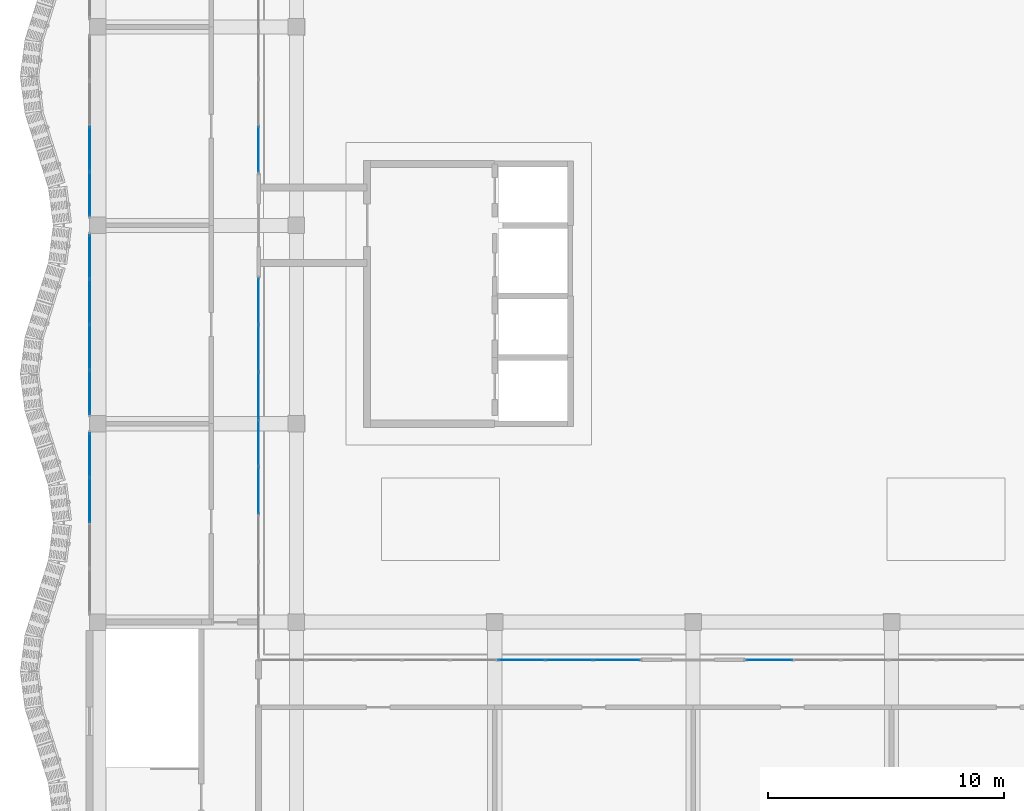
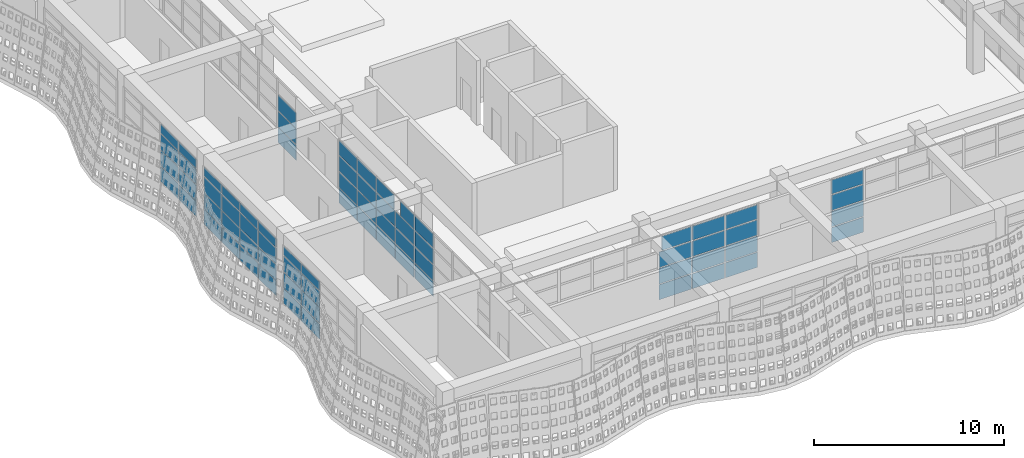
# One storey, part 28 of 85: 71 plates, 7 elements without a shape of their own.
"""IFC4 building model written with IfcOpenShell, lengths in metres."""

from ifc_helpers import new_model, si_unit, direction, frame, origin, origin_2d, place, context, subcontext, project, spatial, rectangle, extrude, material, layer, layer_set, type_object, element, aggregate, save


model = new_model("IFC4")

# Units and contexts
model_context = context("Model", 3, precision=1e-05, world=origin(), true_north=direction((0.0, 1.0)))
body_context = subcontext(model_context, "Body", "Model", "MODEL_VIEW")
ifc_project = project(units=[si_unit("LENGTHUNIT", "METRE"), si_unit("AREAUNIT", "SQUARE_METRE"), si_unit("VOLUMEUNIT", "CUBIC_METRE"), si_unit("PLANEANGLEUNIT", "RADIAN"), si_unit("MASSUNIT", "GRAM", prefix="KILO")], contexts=[model_context])

# Site, building, storey
site_placement = place(None, origin())
site = spatial("IfcSite", under=ifc_project, at=site_placement, CompositionType="ELEMENT")
building_placement = place(site_placement, origin())
building = spatial("IfcBuilding", under=site, at=building_placement, Name="Rain Tree Exposition and Congress Centre", CompositionType="ELEMENT")
storey_placement = place(building_placement, frame((0.0, 0.0, 15.0)))
storey = spatial("IfcBuildingStorey", under=building, at=storey_placement, Name="L03", CompositionType="ELEMENT", Elevation=15.0)

# Curtain wall, plates
ifc_material_1 = material(Name="Aluminium curtain wall", Category="aluminium")
curtain_wall_type = type_object("IfcCurtainWallType", Name="Wing curtain wall 1925", PredefinedType="NOTDEFINED", material=ifc_material_1)
curtain_wall_1_placement = place(storey_placement, origin())
curtain_wall_1 = element("IfcCurtainWall", 1, at=curtain_wall_1_placement, inside=storey, type_object=curtain_wall_type, Name="Curtain wall CWW408", PredefinedType="NOTDEFINED")
ifc_material_2 = material(Name="Double glazed unit", Category="glass")
ifc_layer = layer(ifc_material_2, 0.028076171875)
ifc_layer_set = layer_set([ifc_layer], Name="Double glazed unit")
plate_type = type_object("IfcPlateType", Name="Wing glazing panel 28", PredefinedType="CURTAIN_PANEL", material=ifc_layer_set)
plate_1_placement = place(storey_placement, frame((-0.35009765625, 13.5625, 0.06005859375), z_axis=(0.0, 0.0, 1.0), x_axis=(0.0, 1.0, 0.0)))
plate_1 = element("IfcPlate", 2, at=plate_1_placement, type_object=plate_type, Name="CWW408 panel 3.1", PredefinedType="CURTAIN_PANEL", context=body_context, shape_type="SweptSolid", body=[
    extrude(rectangle(XDim=1.864990234375, YDim=0.028076171875, at=origin_2d()), origin(), (0.0, 0.0, 1.0), 0.9599609375),
])
plate_2_placement = place(storey_placement, frame((-0.35009765625, 13.5625, 1.080078125), z_axis=(0.0, 0.0, 1.0), x_axis=(0.0, 1.0, 0.0)))
plate_2 = element("IfcPlate", 3, at=plate_2_placement, type_object=plate_type, Name="CWW408 panel 3.2", PredefinedType="CURTAIN_PANEL", context=body_context, shape_type="SweptSolid", body=[
    extrude(rectangle(XDim=1.864990234375, YDim=0.028076171875, at=origin_2d()), origin(), (0.0, 0.0, 1.0), 0.989990234375),
])
plate_3_placement = place(storey_placement, frame((-0.35009765625, 13.5625, 2.1298828125), z_axis=(0.0, 0.0, 1.0), x_axis=(0.0, 1.0, 0.0)))
plate_3 = element("IfcPlate", 4, at=plate_3_placement, type_object=plate_type, Name="CWW408 panel 3.3", PredefinedType="CURTAIN_PANEL", context=body_context, shape_type="SweptSolid", body=[
    extrude(rectangle(XDim=1.864990234375, YDim=0.028076171875, at=origin_2d()), origin(), (0.0, 0.0, 1.0), 0.989990234375),
])
plate_4_placement = place(storey_placement, frame((-0.35009765625, 13.5625, 3.179931640625), z_axis=(0.0, 0.0, 1.0), x_axis=(0.0, 1.0, 0.0)))
plate_4 = element("IfcPlate", 5, at=plate_4_placement, type_object=plate_type, Name="CWW408 panel 3.4", PredefinedType="CURTAIN_PANEL", context=body_context, shape_type="SweptSolid", body=[
    extrude(rectangle(XDim=1.864990234375, YDim=0.028076171875, at=origin_2d()), origin(), (0.0, 0.0, 1.0), 0.56005859375),
])
plate_5_placement = place(storey_placement, frame((-0.35009765625, 15.472412109375, 0.06005859375), z_axis=(0.0, 0.0, 1.0), x_axis=(0.0, 1.0, 0.0)))
plate_5 = element("IfcPlate", 6, at=plate_5_placement, type_object=plate_type, Name="CWW408 panel 4.1", PredefinedType="CURTAIN_PANEL", context=body_context, shape_type="SweptSolid", body=[
    extrude(rectangle(XDim=1.8349609375, YDim=0.028076171875, at=origin_2d()), origin(), (0.0, 0.0, 1.0), 0.9599609375),
])
plate_6_placement = place(storey_placement, frame((-0.35009765625, 15.472412109375, 1.080078125), z_axis=(0.0, 0.0, 1.0), x_axis=(0.0, 1.0, 0.0)))
plate_6 = element("IfcPlate", 7, at=plate_6_placement, type_object=plate_type, Name="CWW408 panel 4.2", PredefinedType="CURTAIN_PANEL", context=body_context, shape_type="SweptSolid", body=[
    extrude(rectangle(XDim=1.8349609375, YDim=0.028076171875, at=origin_2d()), origin(), (0.0, 0.0, 1.0), 0.989990234375),
])
plate_7_placement = place(storey_placement, frame((-0.35009765625, 15.472412109375, 2.1298828125), z_axis=(0.0, 0.0, 1.0), x_axis=(0.0, 1.0, 0.0)))
plate_7 = element("IfcPlate", 8, at=plate_7_placement, type_object=plate_type, Name="CWW408 panel 4.3", PredefinedType="CURTAIN_PANEL", context=body_context, shape_type="SweptSolid", body=[
    extrude(rectangle(XDim=1.8349609375, YDim=0.028076171875, at=origin_2d()), origin(), (0.0, 0.0, 1.0), 0.989990234375),
])
plate_8_placement = place(storey_placement, frame((-0.35009765625, 15.472412109375, 3.179931640625), z_axis=(0.0, 0.0, 1.0), x_axis=(0.0, 1.0, 0.0)))
plate_8 = element("IfcPlate", 9, at=plate_8_placement, type_object=plate_type, Name="CWW408 panel 4.4", PredefinedType="CURTAIN_PANEL", context=body_context, shape_type="SweptSolid", body=[
    extrude(rectangle(XDim=1.8349609375, YDim=0.028076171875, at=origin_2d()), origin(), (0.0, 0.0, 1.0), 0.56005859375),
])
aggregate(curtain_wall_1, [plate_1, plate_2, plate_3, plate_4, plate_5, plate_6, plate_7, plate_8])

curtain_wall_2_placement = place(storey_placement, origin())
curtain_wall_2 = element("IfcCurtainWall", 10, at=curtain_wall_2_placement, inside=storey, type_object=curtain_wall_type, Name="Curtain wall CWW409", PredefinedType="NOTDEFINED")
plate_9_placement = place(storey_placement, frame((-0.35009765625, 18.12744140625, 0.06005859375), z_axis=(0.0, 0.0, 1.0), x_axis=(0.0, 1.0, 0.0)))
plate_9 = element("IfcPlate", 11, at=plate_9_placement, type_object=plate_type, Name="CWW409 panel 1.1", PredefinedType="CURTAIN_PANEL", context=body_context, shape_type="SweptSolid", body=[
    extrude(rectangle(XDim=1.8349609375, YDim=0.028076171875, at=origin_2d()), origin(), (0.0, 0.0, 1.0), 0.9599609375),
])
plate_10_placement = place(storey_placement, frame((-0.35009765625, 18.12744140625, 1.080078125), z_axis=(0.0, 0.0, 1.0), x_axis=(0.0, 1.0, 0.0)))
plate_10 = element("IfcPlate", 12, at=plate_10_placement, type_object=plate_type, Name="CWW409 panel 1.2", PredefinedType="CURTAIN_PANEL", context=body_context, shape_type="SweptSolid", body=[
    extrude(rectangle(XDim=1.8349609375, YDim=0.028076171875, at=origin_2d()), origin(), (0.0, 0.0, 1.0), 0.989990234375),
])
plate_11_placement = place(storey_placement, frame((-0.35009765625, 18.12744140625, 2.1298828125), z_axis=(0.0, 0.0, 1.0), x_axis=(0.0, 1.0, 0.0)))
plate_11 = element("IfcPlate", 13, at=plate_11_placement, type_object=plate_type, Name="CWW409 panel 1.3", PredefinedType="CURTAIN_PANEL", context=body_context, shape_type="SweptSolid", body=[
    extrude(rectangle(XDim=1.8349609375, YDim=0.028076171875, at=origin_2d()), origin(), (0.0, 0.0, 1.0), 0.989990234375),
])
plate_12_placement = place(storey_placement, frame((-0.35009765625, 18.12744140625, 3.179931640625), z_axis=(0.0, 0.0, 1.0), x_axis=(0.0, 1.0, 0.0)))
plate_12 = element("IfcPlate", 14, at=plate_12_placement, type_object=plate_type, Name="CWW409 panel 1.4", PredefinedType="CURTAIN_PANEL", context=body_context, shape_type="SweptSolid", body=[
    extrude(rectangle(XDim=1.8349609375, YDim=0.028076171875, at=origin_2d()), origin(), (0.0, 0.0, 1.0), 0.56005859375),
])
plate_13_placement = place(storey_placement, frame((-0.35009765625, 20.03759765625, 0.06005859375), z_axis=(0.0, 0.0, 1.0), x_axis=(0.0, 1.0, 0.0)))
plate_13 = element("IfcPlate", 15, at=plate_13_placement, type_object=plate_type, Name="CWW409 panel 2.1", PredefinedType="CURTAIN_PANEL", context=body_context, shape_type="SweptSolid", body=[
    extrude(rectangle(XDim=1.864990234375, YDim=0.028076171875, at=origin_2d()), origin(), (0.0, 0.0, 1.0), 0.9599609375),
])
plate_14_placement = place(storey_placement, frame((-0.35009765625, 20.03759765625, 1.080078125), z_axis=(0.0, 0.0, 1.0), x_axis=(0.0, 1.0, 0.0)))
plate_14 = element("IfcPlate", 16, at=plate_14_placement, type_object=plate_type, Name="CWW409 panel 2.2", PredefinedType="CURTAIN_PANEL", context=body_context, shape_type="SweptSolid", body=[
    extrude(rectangle(XDim=1.864990234375, YDim=0.028076171875, at=origin_2d()), origin(), (0.0, 0.0, 1.0), 0.989990234375),
])
plate_15_placement = place(storey_placement, frame((-0.35009765625, 20.03759765625, 2.1298828125), z_axis=(0.0, 0.0, 1.0), x_axis=(0.0, 1.0, 0.0)))
plate_15 = element("IfcPlate", 17, at=plate_15_placement, type_object=plate_type, Name="CWW409 panel 2.3", PredefinedType="CURTAIN_PANEL", context=body_context, shape_type="SweptSolid", body=[
    extrude(rectangle(XDim=1.864990234375, YDim=0.028076171875, at=origin_2d()), origin(), (0.0, 0.0, 1.0), 0.989990234375),
])
plate_16_placement = place(storey_placement, frame((-0.35009765625, 20.03759765625, 3.179931640625), z_axis=(0.0, 0.0, 1.0), x_axis=(0.0, 1.0, 0.0)))
plate_16 = element("IfcPlate", 18, at=plate_16_placement, type_object=plate_type, Name="CWW409 panel 2.4", PredefinedType="CURTAIN_PANEL", context=body_context, shape_type="SweptSolid", body=[
    extrude(rectangle(XDim=1.864990234375, YDim=0.028076171875, at=origin_2d()), origin(), (0.0, 0.0, 1.0), 0.56005859375),
])
plate_17_placement = place(storey_placement, frame((-0.35009765625, 21.96240234375, 0.06005859375), z_axis=(0.0, 0.0, 1.0), x_axis=(0.0, 1.0, 0.0)))
plate_17 = element("IfcPlate", 19, at=plate_17_placement, type_object=plate_type, Name="CWW409 panel 3.1", PredefinedType="CURTAIN_PANEL", context=body_context, shape_type="SweptSolid", body=[
    extrude(rectangle(XDim=1.864990234375, YDim=0.028076171875, at=origin_2d()), origin(), (0.0, 0.0, 1.0), 0.9599609375),
])
plate_18_placement = place(storey_placement, frame((-0.35009765625, 21.96240234375, 1.080078125), z_axis=(0.0, 0.0, 1.0), x_axis=(0.0, 1.0, 0.0)))
plate_18 = element("IfcPlate", 20, at=plate_18_placement, type_object=plate_type, Name="CWW409 panel 3.2", PredefinedType="CURTAIN_PANEL", context=body_context, shape_type="SweptSolid", body=[
    extrude(rectangle(XDim=1.864990234375, YDim=0.028076171875, at=origin_2d()), origin(), (0.0, 0.0, 1.0), 0.989990234375),
])
plate_19_placement = place(storey_placement, frame((-0.35009765625, 21.96240234375, 2.1298828125), z_axis=(0.0, 0.0, 1.0), x_axis=(0.0, 1.0, 0.0)))
plate_19 = element("IfcPlate", 21, at=plate_19_placement, type_object=plate_type, Name="CWW409 panel 3.3", PredefinedType="CURTAIN_PANEL", context=body_context, shape_type="SweptSolid", body=[
    extrude(rectangle(XDim=1.864990234375, YDim=0.028076171875, at=origin_2d()), origin(), (0.0, 0.0, 1.0), 0.989990234375),
])
plate_20_placement = place(storey_placement, frame((-0.35009765625, 21.96240234375, 3.179931640625), z_axis=(0.0, 0.0, 1.0), x_axis=(0.0, 1.0, 0.0)))
plate_20 = element("IfcPlate", 22, at=plate_20_placement, type_object=plate_type, Name="CWW409 panel 3.4", PredefinedType="CURTAIN_PANEL", context=body_context, shape_type="SweptSolid", body=[
    extrude(rectangle(XDim=1.864990234375, YDim=0.028076171875, at=origin_2d()), origin(), (0.0, 0.0, 1.0), 0.56005859375),
])
plate_21_placement = place(storey_placement, frame((-0.35009765625, 23.87255859375, 0.06005859375), z_axis=(0.0, 0.0, 1.0), x_axis=(0.0, 1.0, 0.0)))
plate_21 = element("IfcPlate", 23, at=plate_21_placement, type_object=plate_type, Name="CWW409 panel 4.1", PredefinedType="CURTAIN_PANEL", context=body_context, shape_type="SweptSolid", body=[
    extrude(rectangle(XDim=1.8349609375, YDim=0.028076171875, at=origin_2d()), origin(), (0.0, 0.0, 1.0), 0.9599609375),
])
plate_22_placement = place(storey_placement, frame((-0.35009765625, 23.87255859375, 1.080078125), z_axis=(0.0, 0.0, 1.0), x_axis=(0.0, 1.0, 0.0)))
plate_22 = element("IfcPlate", 24, at=plate_22_placement, type_object=plate_type, Name="CWW409 panel 4.2", PredefinedType="CURTAIN_PANEL", context=body_context, shape_type="SweptSolid", body=[
    extrude(rectangle(XDim=1.8349609375, YDim=0.028076171875, at=origin_2d()), origin(), (0.0, 0.0, 1.0), 0.989990234375),
])
plate_23_placement = place(storey_placement, frame((-0.35009765625, 23.87255859375, 2.1298828125), z_axis=(0.0, 0.0, 1.0), x_axis=(0.0, 1.0, 0.0)))
plate_23 = element("IfcPlate", 25, at=plate_23_placement, type_object=plate_type, Name="CWW409 panel 4.3", PredefinedType="CURTAIN_PANEL", context=body_context, shape_type="SweptSolid", body=[
    extrude(rectangle(XDim=1.8349609375, YDim=0.028076171875, at=origin_2d()), origin(), (0.0, 0.0, 1.0), 0.989990234375),
])
plate_24_placement = place(storey_placement, frame((-0.35009765625, 23.87255859375, 3.179931640625), z_axis=(0.0, 0.0, 1.0), x_axis=(0.0, 1.0, 0.0)))
plate_24 = element("IfcPlate", 26, at=plate_24_placement, type_object=plate_type, Name="CWW409 panel 4.4", PredefinedType="CURTAIN_PANEL", context=body_context, shape_type="SweptSolid", body=[
    extrude(rectangle(XDim=1.8349609375, YDim=0.028076171875, at=origin_2d()), origin(), (0.0, 0.0, 1.0), 0.56005859375),
])
aggregate(curtain_wall_2, [plate_9, plate_10, plate_11, plate_12, plate_13, plate_14, plate_15, plate_16, plate_17, plate_18, plate_19, plate_20, plate_21, plate_22, plate_23, plate_24])

curtain_wall_3_placement = place(storey_placement, origin())
curtain_wall_3 = element("IfcCurtainWall", 27, at=curtain_wall_3_placement, inside=storey, type_object=curtain_wall_type, Name="Curtain wall CWW410", PredefinedType="NOTDEFINED")
plate_25_placement = place(storey_placement, frame((-0.35009765625, 26.527587890625, 0.06005859375), z_axis=(0.0, 0.0, 1.0), x_axis=(0.0, 1.0, 0.0)))
plate_25 = element("IfcPlate", 28, at=plate_25_placement, type_object=plate_type, Name="CWW410 panel 1.1", PredefinedType="CURTAIN_PANEL", context=body_context, shape_type="SweptSolid", body=[
    extrude(rectangle(XDim=1.8349609375, YDim=0.028076171875, at=origin_2d()), origin(), (0.0, 0.0, 1.0), 0.9599609375),
])
plate_26_placement = place(storey_placement, frame((-0.35009765625, 26.527587890625, 1.080078125), z_axis=(0.0, 0.0, 1.0), x_axis=(0.0, 1.0, 0.0)))
plate_26 = element("IfcPlate", 29, at=plate_26_placement, type_object=plate_type, Name="CWW410 panel 1.2", PredefinedType="CURTAIN_PANEL", context=body_context, shape_type="SweptSolid", body=[
    extrude(rectangle(XDim=1.8349609375, YDim=0.028076171875, at=origin_2d()), origin(), (0.0, 0.0, 1.0), 0.989990234375),
])
plate_27_placement = place(storey_placement, frame((-0.35009765625, 26.527587890625, 2.1298828125), z_axis=(0.0, 0.0, 1.0), x_axis=(0.0, 1.0, 0.0)))
plate_27 = element("IfcPlate", 30, at=plate_27_placement, type_object=plate_type, Name="CWW410 panel 1.3", PredefinedType="CURTAIN_PANEL", context=body_context, shape_type="SweptSolid", body=[
    extrude(rectangle(XDim=1.8349609375, YDim=0.028076171875, at=origin_2d()), origin(), (0.0, 0.0, 1.0), 0.989990234375),
])
plate_28_placement = place(storey_placement, frame((-0.35009765625, 26.527587890625, 3.179931640625), z_axis=(0.0, 0.0, 1.0), x_axis=(0.0, 1.0, 0.0)))
plate_28 = element("IfcPlate", 31, at=plate_28_placement, type_object=plate_type, Name="CWW410 panel 1.4", PredefinedType="CURTAIN_PANEL", context=body_context, shape_type="SweptSolid", body=[
    extrude(rectangle(XDim=1.8349609375, YDim=0.028076171875, at=origin_2d()), origin(), (0.0, 0.0, 1.0), 0.56005859375),
])
plate_29_placement = place(storey_placement, frame((-0.35009765625, 28.4375, 0.06005859375), z_axis=(0.0, 0.0, 1.0), x_axis=(0.0, 1.0, 0.0)))
plate_29 = element("IfcPlate", 32, at=plate_29_placement, type_object=plate_type, Name="CWW410 panel 2.1", PredefinedType="CURTAIN_PANEL", context=body_context, shape_type="SweptSolid", body=[
    extrude(rectangle(XDim=1.864990234375, YDim=0.028076171875, at=origin_2d()), origin(), (0.0, 0.0, 1.0), 0.9599609375),
])
plate_30_placement = place(storey_placement, frame((-0.35009765625, 28.4375, 1.080078125), z_axis=(0.0, 0.0, 1.0), x_axis=(0.0, 1.0, 0.0)))
plate_30 = element("IfcPlate", 33, at=plate_30_placement, type_object=plate_type, Name="CWW410 panel 2.2", PredefinedType="CURTAIN_PANEL", context=body_context, shape_type="SweptSolid", body=[
    extrude(rectangle(XDim=1.864990234375, YDim=0.028076171875, at=origin_2d()), origin(), (0.0, 0.0, 1.0), 0.989990234375),
])
plate_31_placement = place(storey_placement, frame((-0.35009765625, 28.4375, 2.1298828125), z_axis=(0.0, 0.0, 1.0), x_axis=(0.0, 1.0, 0.0)))
plate_31 = element("IfcPlate", 34, at=plate_31_placement, type_object=plate_type, Name="CWW410 panel 2.3", PredefinedType="CURTAIN_PANEL", context=body_context, shape_type="SweptSolid", body=[
    extrude(rectangle(XDim=1.864990234375, YDim=0.028076171875, at=origin_2d()), origin(), (0.0, 0.0, 1.0), 0.989990234375),
])
plate_32_placement = place(storey_placement, frame((-0.35009765625, 28.4375, 3.179931640625), z_axis=(0.0, 0.0, 1.0), x_axis=(0.0, 1.0, 0.0)))
plate_32 = element("IfcPlate", 35, at=plate_32_placement, type_object=plate_type, Name="CWW410 panel 2.4", PredefinedType="CURTAIN_PANEL", context=body_context, shape_type="SweptSolid", body=[
    extrude(rectangle(XDim=1.864990234375, YDim=0.028076171875, at=origin_2d()), origin(), (0.0, 0.0, 1.0), 0.56005859375),
])
aggregate(curtain_wall_3, [plate_25, plate_26, plate_27, plate_28, plate_29, plate_30, plate_31, plate_32])

curtain_wall_4_placement = place(storey_placement, origin())
curtain_wall_4 = element("IfcCurtainWall", 36, at=curtain_wall_4_placement, inside=storey, type_object=curtain_wall_type, Name="Curtain wall CWW501", PredefinedType="NOTDEFINED")
plate_33_placement = place(storey_placement, frame((17.9375, 6.800048828125, 0.06005859375), z_axis=(0.0, 0.0, 1.0), x_axis=(1.0, 0.0, 0.0)))
plate_33 = element("IfcPlate", 37, at=plate_33_placement, type_object=plate_type, Name="CWW501 panel 6.1", PredefinedType="CURTAIN_PANEL", context=body_context, shape_type="SweptSolid", body=[
    extrude(rectangle(XDim=1.965087890625, YDim=0.028076171875, at=origin_2d()), origin(), (0.0, 0.0, 1.0), 0.9599609375),
])
plate_34_placement = place(storey_placement, frame((17.9375, 6.800048828125, 1.080078125), z_axis=(0.0, 0.0, 1.0), x_axis=(1.0, 0.0, 0.0)))
plate_34 = element("IfcPlate", 38, at=plate_34_placement, type_object=plate_type, Name="CWW501 panel 6.2", PredefinedType="CURTAIN_PANEL", context=body_context, shape_type="SweptSolid", body=[
    extrude(rectangle(XDim=1.965087890625, YDim=0.028076171875, at=origin_2d()), origin(), (0.0, 0.0, 1.0), 0.989990234375),
])
plate_35_placement = place(storey_placement, frame((17.9375, 6.800048828125, 2.1298828125), z_axis=(0.0, 0.0, 1.0), x_axis=(1.0, 0.0, 0.0)))
plate_35 = element("IfcPlate", 39, at=plate_35_placement, type_object=plate_type, Name="CWW501 panel 6.3", PredefinedType="CURTAIN_PANEL", context=body_context, shape_type="SweptSolid", body=[
    extrude(rectangle(XDim=1.965087890625, YDim=0.028076171875, at=origin_2d()), origin(), (0.0, 0.0, 1.0), 0.989990234375),
])
plate_36_placement = place(storey_placement, frame((18.02490234375, 6.800048828125, 3.18017578125), z_axis=(0.0, 0.0, 1.0), x_axis=(1.0, 0.0, 0.0)))
plate_36 = element("IfcPlate", 40, at=plate_36_placement, type_object=plate_type, Name="CWW501 panel 6.4", PredefinedType="CURTAIN_PANEL", context=body_context, shape_type="SweptSolid", body=[
    extrude(rectangle(XDim=1.7900390625, YDim=0.028076171875, at=origin_2d()), origin(), (0.0, 0.0, 1.0), 0.909912109375),
])
plate_37_placement = place(storey_placement, frame((19.96240234375, 6.800048828125, 0.06005859375), z_axis=(0.0, 0.0, 1.0), x_axis=(1.0, 0.0, 0.0)))
plate_37 = element("IfcPlate", 41, at=plate_37_placement, type_object=plate_type, Name="CWW501 panel 7.1", PredefinedType="CURTAIN_PANEL", context=body_context, shape_type="SweptSolid", body=[
    extrude(rectangle(XDim=1.965087890625, YDim=0.028076171875, at=origin_2d()), origin(), (0.0, 0.0, 1.0), 0.9599609375),
])
plate_38_placement = place(storey_placement, frame((19.96240234375, 6.800048828125, 1.080078125), z_axis=(0.0, 0.0, 1.0), x_axis=(1.0, 0.0, 0.0)))
plate_38 = element("IfcPlate", 42, at=plate_38_placement, type_object=plate_type, Name="CWW501 panel 7.2", PredefinedType="CURTAIN_PANEL", context=body_context, shape_type="SweptSolid", body=[
    extrude(rectangle(XDim=1.965087890625, YDim=0.028076171875, at=origin_2d()), origin(), (0.0, 0.0, 1.0), 0.989990234375),
])
plate_39_placement = place(storey_placement, frame((19.96240234375, 6.800048828125, 2.1298828125), z_axis=(0.0, 0.0, 1.0), x_axis=(1.0, 0.0, 0.0)))
plate_39 = element("IfcPlate", 43, at=plate_39_placement, type_object=plate_type, Name="CWW501 panel 7.3", PredefinedType="CURTAIN_PANEL", context=body_context, shape_type="SweptSolid", body=[
    extrude(rectangle(XDim=1.965087890625, YDim=0.028076171875, at=origin_2d()), origin(), (0.0, 0.0, 1.0), 0.989990234375),
])
plate_40_placement = place(storey_placement, frame((19.96240234375, 6.800048828125, 3.18017578125), z_axis=(0.0, 0.0, 1.0), x_axis=(1.0, 0.0, 0.0)))
plate_40 = element("IfcPlate", 44, at=plate_40_placement, type_object=plate_type, Name="CWW501 panel 7.4", PredefinedType="CURTAIN_PANEL", context=body_context, shape_type="SweptSolid", body=[
    extrude(rectangle(XDim=1.965087890625, YDim=0.028076171875, at=origin_2d()), origin(), (0.0, 0.0, 1.0), 0.909912109375),
])
plate_41_placement = place(storey_placement, frame((21.972412109375, 6.800048828125, 0.06005859375), z_axis=(0.0, 0.0, 1.0), x_axis=(1.0, 0.0, 0.0)))
plate_41 = element("IfcPlate", 45, at=plate_41_placement, type_object=plate_type, Name="CWW501 panel 8.1", PredefinedType="CURTAIN_PANEL", context=body_context, shape_type="SweptSolid", body=[
    extrude(rectangle(XDim=1.93505859375, YDim=0.028076171875, at=origin_2d()), origin(), (0.0, 0.0, 1.0), 0.9599609375),
])
plate_42_placement = place(storey_placement, frame((21.972412109375, 6.800048828125, 1.080078125), z_axis=(0.0, 0.0, 1.0), x_axis=(1.0, 0.0, 0.0)))
plate_42 = element("IfcPlate", 46, at=plate_42_placement, type_object=plate_type, Name="CWW501 panel 8.2", PredefinedType="CURTAIN_PANEL", context=body_context, shape_type="SweptSolid", body=[
    extrude(rectangle(XDim=1.93505859375, YDim=0.028076171875, at=origin_2d()), origin(), (0.0, 0.0, 1.0), 0.989990234375),
])
plate_43_placement = place(storey_placement, frame((21.972412109375, 6.800048828125, 2.1298828125), z_axis=(0.0, 0.0, 1.0), x_axis=(1.0, 0.0, 0.0)))
plate_43 = element("IfcPlate", 47, at=plate_43_placement, type_object=plate_type, Name="CWW501 panel 8.3", PredefinedType="CURTAIN_PANEL", context=body_context, shape_type="SweptSolid", body=[
    extrude(rectangle(XDim=1.93505859375, YDim=0.028076171875, at=origin_2d()), origin(), (0.0, 0.0, 1.0), 0.989990234375),
])
plate_44_placement = place(storey_placement, frame((21.972412109375, 6.800048828125, 3.18017578125), z_axis=(0.0, 0.0, 1.0), x_axis=(1.0, 0.0, 0.0)))
plate_44 = element("IfcPlate", 48, at=plate_44_placement, type_object=plate_type, Name="CWW501 panel 8.4", PredefinedType="CURTAIN_PANEL", context=body_context, shape_type="SweptSolid", body=[
    extrude(rectangle(XDim=1.93505859375, YDim=0.028076171875, at=origin_2d()), origin(), (0.0, 0.0, 1.0), 0.909912109375),
])
aggregate(curtain_wall_4, [plate_33, plate_34, plate_35, plate_36, plate_37, plate_38, plate_39, plate_40, plate_41, plate_42, plate_43, plate_44])

curtain_wall_5_placement = place(storey_placement, origin())
curtain_wall_5 = element("IfcCurtainWall", 49, at=curtain_wall_5_placement, inside=storey, type_object=curtain_wall_type, Name="Curtain wall CWW502", PredefinedType="NOTDEFINED")
plate_45_placement = place(storey_placement, frame((28.427490234375, 6.800048828125, 0.06005859375), z_axis=(0.0, 0.0, 1.0), x_axis=(1.0, 0.0, 0.0)))
plate_45 = element("IfcPlate", 50, at=plate_45_placement, type_object=plate_type, Name="CWW502 panel 1.1", PredefinedType="CURTAIN_PANEL", context=body_context, shape_type="SweptSolid", body=[
    extrude(rectangle(XDim=1.93505859375, YDim=0.028076171875, at=origin_2d()), origin(), (0.0, 0.0, 1.0), 0.9599609375),
])
plate_46_placement = place(storey_placement, frame((28.427490234375, 6.800048828125, 1.080078125), z_axis=(0.0, 0.0, 1.0), x_axis=(1.0, 0.0, 0.0)))
plate_46 = element("IfcPlate", 51, at=plate_46_placement, type_object=plate_type, Name="CWW502 panel 1.2", PredefinedType="CURTAIN_PANEL", context=body_context, shape_type="SweptSolid", body=[
    extrude(rectangle(XDim=1.93505859375, YDim=0.028076171875, at=origin_2d()), origin(), (0.0, 0.0, 1.0), 0.989990234375),
])
plate_47_placement = place(storey_placement, frame((28.427490234375, 6.800048828125, 2.1298828125), z_axis=(0.0, 0.0, 1.0), x_axis=(1.0, 0.0, 0.0)))
plate_47 = element("IfcPlate", 52, at=plate_47_placement, type_object=plate_type, Name="CWW502 panel 1.3", PredefinedType="CURTAIN_PANEL", context=body_context, shape_type="SweptSolid", body=[
    extrude(rectangle(XDim=1.93505859375, YDim=0.028076171875, at=origin_2d()), origin(), (0.0, 0.0, 1.0), 0.989990234375),
])
plate_48_placement = place(storey_placement, frame((28.427490234375, 6.800048828125, 3.18017578125), z_axis=(0.0, 0.0, 1.0), x_axis=(1.0, 0.0, 0.0)))
plate_48 = element("IfcPlate", 53, at=plate_48_placement, type_object=plate_type, Name="CWW502 panel 1.4", PredefinedType="CURTAIN_PANEL", context=body_context, shape_type="SweptSolid", body=[
    extrude(rectangle(XDim=1.93505859375, YDim=0.028076171875, at=origin_2d()), origin(), (0.0, 0.0, 1.0), 0.909912109375),
])
aggregate(curtain_wall_5, [plate_45, plate_46, plate_47, plate_48])

curtain_wall_6_placement = place(storey_placement, origin())
curtain_wall_6 = element("IfcCurtainWall", 54, at=curtain_wall_6_placement, inside=storey, type_object=curtain_wall_type, Name="Curtain wall CWW505", PredefinedType="NOTDEFINED")
plate_49_placement = place(storey_placement, frame((6.800048828125, 13.971923828125, 0.06005859375), z_axis=(0.0, 0.0, 1.0), x_axis=(0.0, 1.0, 0.0)))
plate_49 = element("IfcPlate", 55, at=plate_49_placement, type_object=plate_type, Name="CWW505 panel 4.1", PredefinedType="CURTAIN_PANEL", context=body_context, shape_type="SweptSolid", body=[
    extrude(rectangle(XDim=1.9462890625, YDim=0.028076171875, at=origin_2d()), origin(), (0.0, 0.0, 1.0), 0.9599609375),
])
plate_50_placement = place(storey_placement, frame((6.800048828125, 13.971923828125, 1.080078125), z_axis=(0.0, 0.0, 1.0), x_axis=(0.0, 1.0, 0.0)))
plate_50 = element("IfcPlate", 56, at=plate_50_placement, type_object=plate_type, Name="CWW505 panel 4.2", PredefinedType="CURTAIN_PANEL", context=body_context, shape_type="SweptSolid", body=[
    extrude(rectangle(XDim=1.9462890625, YDim=0.028076171875, at=origin_2d()), origin(), (0.0, 0.0, 1.0), 0.989990234375),
])
plate_51_placement = place(storey_placement, frame((6.800048828125, 13.971923828125, 2.1298828125), z_axis=(0.0, 0.0, 1.0), x_axis=(0.0, 1.0, 0.0)))
plate_51 = element("IfcPlate", 57, at=plate_51_placement, type_object=plate_type, Name="CWW505 panel 4.3", PredefinedType="CURTAIN_PANEL", context=body_context, shape_type="SweptSolid", body=[
    extrude(rectangle(XDim=1.9462890625, YDim=0.028076171875, at=origin_2d()), origin(), (0.0, 0.0, 1.0), 0.989990234375),
])
plate_52_placement = place(storey_placement, frame((6.800048828125, 13.971923828125, 3.18017578125), z_axis=(0.0, 0.0, 1.0), x_axis=(0.0, 1.0, 0.0)))
plate_52 = element("IfcPlate", 58, at=plate_52_placement, type_object=plate_type, Name="CWW505 panel 4.4", PredefinedType="CURTAIN_PANEL", context=body_context, shape_type="SweptSolid", body=[
    extrude(rectangle(XDim=1.9462890625, YDim=0.028076171875, at=origin_2d()), origin(), (0.0, 0.0, 1.0), 0.909912109375),
])
plate_53_placement = place(storey_placement, frame((6.800048828125, 15.97802734375, 0.06005859375), z_axis=(0.0, 0.0, 1.0), x_axis=(0.0, 1.0, 0.0)))
plate_53 = element("IfcPlate", 59, at=plate_53_placement, type_object=plate_type, Name="CWW505 panel 5.1", PredefinedType="CURTAIN_PANEL", context=body_context, shape_type="SweptSolid", body=[
    extrude(rectangle(XDim=1.9462890625, YDim=0.028076171875, at=origin_2d()), origin(), (0.0, 0.0, 1.0), 0.9599609375),
])
plate_54_placement = place(storey_placement, frame((6.800048828125, 15.97802734375, 1.080078125), z_axis=(0.0, 0.0, 1.0), x_axis=(0.0, 1.0, 0.0)))
plate_54 = element("IfcPlate", 60, at=plate_54_placement, type_object=plate_type, Name="CWW505 panel 5.2", PredefinedType="CURTAIN_PANEL", context=body_context, shape_type="SweptSolid", body=[
    extrude(rectangle(XDim=1.9462890625, YDim=0.028076171875, at=origin_2d()), origin(), (0.0, 0.0, 1.0), 0.989990234375),
])
plate_55_placement = place(storey_placement, frame((6.800048828125, 15.97802734375, 2.1298828125), z_axis=(0.0, 0.0, 1.0), x_axis=(0.0, 1.0, 0.0)))
plate_55 = element("IfcPlate", 61, at=plate_55_placement, type_object=plate_type, Name="CWW505 panel 5.3", PredefinedType="CURTAIN_PANEL", context=body_context, shape_type="SweptSolid", body=[
    extrude(rectangle(XDim=1.9462890625, YDim=0.028076171875, at=origin_2d()), origin(), (0.0, 0.0, 1.0), 0.989990234375),
])
plate_56_placement = place(storey_placement, frame((6.800048828125, 15.737548828125, 3.18017578125), z_axis=(0.0, 0.0, 1.0), x_axis=(0.0, 1.0, 0.0)))
plate_56 = element("IfcPlate", 62, at=plate_56_placement, type_object=plate_type, Name="CWW505 panel 5.4", PredefinedType="CURTAIN_PANEL", context=body_context, shape_type="SweptSolid", body=[
    extrude(rectangle(XDim=1.465087890625, YDim=0.028076171875, at=origin_2d()), origin(), (0.0, 0.0, 1.0), 0.909912109375),
])
plate_57_placement = place(storey_placement, frame((6.800048828125, 17.984375, 0.06005859375), z_axis=(0.0, 0.0, 1.0), x_axis=(0.0, 1.0, 0.0)))
plate_57 = element("IfcPlate", 63, at=plate_57_placement, type_object=plate_type, Name="CWW505 panel 6.1", PredefinedType="CURTAIN_PANEL", context=body_context, shape_type="SweptSolid", body=[
    extrude(rectangle(XDim=1.9462890625, YDim=0.028076171875, at=origin_2d()), origin(), (0.0, 0.0, 1.0), 0.9599609375),
])
plate_58_placement = place(storey_placement, frame((6.800048828125, 17.984375, 1.080078125), z_axis=(0.0, 0.0, 1.0), x_axis=(0.0, 1.0, 0.0)))
plate_58 = element("IfcPlate", 64, at=plate_58_placement, type_object=plate_type, Name="CWW505 panel 6.2", PredefinedType="CURTAIN_PANEL", context=body_context, shape_type="SweptSolid", body=[
    extrude(rectangle(XDim=1.9462890625, YDim=0.028076171875, at=origin_2d()), origin(), (0.0, 0.0, 1.0), 0.989990234375),
])
plate_59_placement = place(storey_placement, frame((6.800048828125, 17.984375, 2.1298828125), z_axis=(0.0, 0.0, 1.0), x_axis=(0.0, 1.0, 0.0)))
plate_59 = element("IfcPlate", 65, at=plate_59_placement, type_object=plate_type, Name="CWW505 panel 6.3", PredefinedType="CURTAIN_PANEL", context=body_context, shape_type="SweptSolid", body=[
    extrude(rectangle(XDim=1.9462890625, YDim=0.028076171875, at=origin_2d()), origin(), (0.0, 0.0, 1.0), 0.989990234375),
])
plate_60_placement = place(storey_placement, frame((6.800048828125, 18.043701171875, 3.18017578125), z_axis=(0.0, 0.0, 1.0), x_axis=(0.0, 1.0, 0.0)))
plate_60 = element("IfcPlate", 66, at=plate_60_placement, type_object=plate_type, Name="CWW505 panel 6.4", PredefinedType="CURTAIN_PANEL", context=body_context, shape_type="SweptSolid", body=[
    extrude(rectangle(XDim=1.827392578125, YDim=0.028076171875, at=origin_2d()), origin(), (0.0, 0.0, 1.0), 0.909912109375),
])
plate_61_placement = place(storey_placement, frame((6.800048828125, 19.99072265625, 0.06005859375), z_axis=(0.0, 0.0, 1.0), x_axis=(0.0, 1.0, 0.0)))
plate_61 = element("IfcPlate", 67, at=plate_61_placement, type_object=plate_type, Name="CWW505 panel 7.1", PredefinedType="CURTAIN_PANEL", context=body_context, shape_type="SweptSolid", body=[
    extrude(rectangle(XDim=1.9462890625, YDim=0.028076171875, at=origin_2d()), origin(), (0.0, 0.0, 1.0), 0.9599609375),
])
plate_62_placement = place(storey_placement, frame((6.800048828125, 19.99072265625, 1.080078125), z_axis=(0.0, 0.0, 1.0), x_axis=(0.0, 1.0, 0.0)))
plate_62 = element("IfcPlate", 68, at=plate_62_placement, type_object=plate_type, Name="CWW505 panel 7.2", PredefinedType="CURTAIN_PANEL", context=body_context, shape_type="SweptSolid", body=[
    extrude(rectangle(XDim=1.9462890625, YDim=0.028076171875, at=origin_2d()), origin(), (0.0, 0.0, 1.0), 0.989990234375),
])
plate_63_placement = place(storey_placement, frame((6.800048828125, 19.99072265625, 2.1298828125), z_axis=(0.0, 0.0, 1.0), x_axis=(0.0, 1.0, 0.0)))
plate_63 = element("IfcPlate", 69, at=plate_63_placement, type_object=plate_type, Name="CWW505 panel 7.3", PredefinedType="CURTAIN_PANEL", context=body_context, shape_type="SweptSolid", body=[
    extrude(rectangle(XDim=1.9462890625, YDim=0.028076171875, at=origin_2d()), origin(), (0.0, 0.0, 1.0), 0.989990234375),
])
plate_64_placement = place(storey_placement, frame((6.800048828125, 19.99072265625, 3.18017578125), z_axis=(0.0, 0.0, 1.0), x_axis=(0.0, 1.0, 0.0)))
plate_64 = element("IfcPlate", 70, at=plate_64_placement, type_object=plate_type, Name="CWW505 panel 7.4", PredefinedType="CURTAIN_PANEL", context=body_context, shape_type="SweptSolid", body=[
    extrude(rectangle(XDim=1.9462890625, YDim=0.028076171875, at=origin_2d()), origin(), (0.0, 0.0, 1.0), 0.909912109375),
])
plate_65_placement = place(storey_placement, frame((6.800048828125, 21.98193359375, 0.06005859375), z_axis=(0.0, 0.0, 1.0), x_axis=(0.0, 1.0, 0.0)))
plate_65 = element("IfcPlate", 71, at=plate_65_placement, type_object=plate_type, Name="CWW505 panel 8.1", PredefinedType="CURTAIN_PANEL", context=body_context, shape_type="SweptSolid", body=[
    extrude(rectangle(XDim=1.916259765625, YDim=0.028076171875, at=origin_2d()), origin(), (0.0, 0.0, 1.0), 0.9599609375),
])
plate_66_placement = place(storey_placement, frame((6.800048828125, 21.98193359375, 1.080078125), z_axis=(0.0, 0.0, 1.0), x_axis=(0.0, 1.0, 0.0)))
plate_66 = element("IfcPlate", 72, at=plate_66_placement, type_object=plate_type, Name="CWW505 panel 8.2", PredefinedType="CURTAIN_PANEL", context=body_context, shape_type="SweptSolid", body=[
    extrude(rectangle(XDim=1.916259765625, YDim=0.028076171875, at=origin_2d()), origin(), (0.0, 0.0, 1.0), 0.989990234375),
])
plate_67_placement = place(storey_placement, frame((6.800048828125, 21.98193359375, 2.1298828125), z_axis=(0.0, 0.0, 1.0), x_axis=(0.0, 1.0, 0.0)))
plate_67 = element("IfcPlate", 73, at=plate_67_placement, type_object=plate_type, Name="CWW505 panel 8.3", PredefinedType="CURTAIN_PANEL", context=body_context, shape_type="SweptSolid", body=[
    extrude(rectangle(XDim=1.916259765625, YDim=0.028076171875, at=origin_2d()), origin(), (0.0, 0.0, 1.0), 0.989990234375),
])
plate_68_placement = place(storey_placement, frame((6.800048828125, 21.98193359375, 3.18017578125), z_axis=(0.0, 0.0, 1.0), x_axis=(0.0, 1.0, 0.0)))
plate_68 = element("IfcPlate", 74, at=plate_68_placement, type_object=plate_type, Name="CWW505 panel 8.4", PredefinedType="CURTAIN_PANEL", context=body_context, shape_type="SweptSolid", body=[
    extrude(rectangle(XDim=1.916259765625, YDim=0.028076171875, at=origin_2d()), origin(), (0.0, 0.0, 1.0), 0.909912109375),
])
aggregate(curtain_wall_6, [plate_49, plate_50, plate_51, plate_52, plate_53, plate_54, plate_55, plate_56, plate_57, plate_58, plate_59, plate_60, plate_61, plate_62, plate_63, plate_64, plate_65, plate_66, plate_67, plate_68])

curtain_wall_7_placement = place(storey_placement, origin())
curtain_wall_7 = element("IfcCurtainWall", 75, at=curtain_wall_7_placement, inside=storey, type_object=curtain_wall_type, Name="Curtain wall CWW506", PredefinedType="NOTDEFINED")
plate_69_placement = place(storey_placement, frame((6.800048828125, 28.418212890625, 0.06005859375), z_axis=(0.0, 0.0, 1.0), x_axis=(0.0, 1.0, 0.0)))
plate_69 = element("IfcPlate", 76, at=plate_69_placement, type_object=plate_type, Name="CWW506 panel 1.1", PredefinedType="CURTAIN_PANEL", context=body_context, shape_type="SweptSolid", body=[
    extrude(rectangle(XDim=1.916259765625, YDim=0.028076171875, at=origin_2d()), origin(), (0.0, 0.0, 1.0), 0.9599609375),
])
plate_70_placement = place(storey_placement, frame((6.800048828125, 28.418212890625, 1.080078125), z_axis=(0.0, 0.0, 1.0), x_axis=(0.0, 1.0, 0.0)))
plate_70 = element("IfcPlate", 77, at=plate_70_placement, type_object=plate_type, Name="CWW506 panel 1.2", PredefinedType="CURTAIN_PANEL", context=body_context, shape_type="SweptSolid", body=[
    extrude(rectangle(XDim=1.916259765625, YDim=0.028076171875, at=origin_2d()), origin(), (0.0, 0.0, 1.0), 0.989990234375),
])
plate_71_placement = place(storey_placement, frame((6.800048828125, 28.418212890625, 2.1298828125), z_axis=(0.0, 0.0, 1.0), x_axis=(0.0, 1.0, 0.0)))
plate_71 = element("IfcPlate", 78, at=plate_71_placement, type_object=plate_type, Name="CWW506 panel 1.3", PredefinedType="CURTAIN_PANEL", context=body_context, shape_type="SweptSolid", body=[
    extrude(rectangle(XDim=1.916259765625, YDim=0.028076171875, at=origin_2d()), origin(), (0.0, 0.0, 1.0), 0.989990234375),
])
aggregate(curtain_wall_7, [plate_69, plate_70, plate_71])

save(model, "model.ifc")
